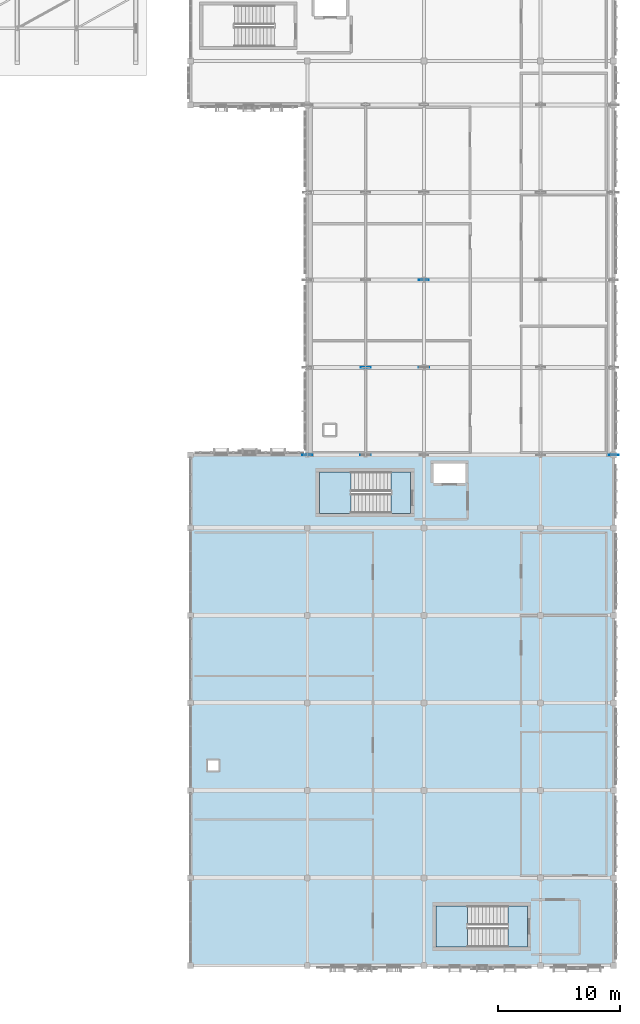
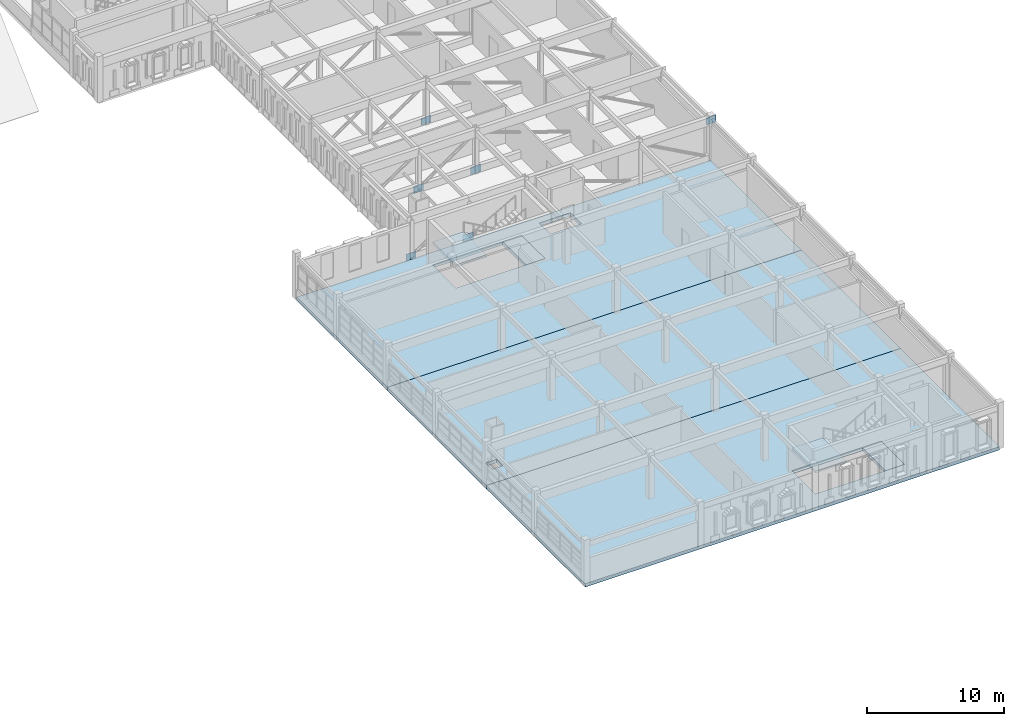
# One storey, part 38 of 79: 7 slabs, 6 plates, 2 elements without a shape of their own.
"""IFC4 building model written with IfcOpenShell, lengths in metres."""

from ifc_helpers import new_model, si_unit, direction, frame, origin, origin_2d, place, context, subcontext, project, spatial, polyline, rectangle, outline, extrude, material, layer, layer_set, type_object, element, aggregate, save


model = new_model("IFC4")

# Units and contexts
model_context = context("Model", 3, precision=1e-05, world=origin(), true_north=direction((0.0, 1.0)))
body_context = subcontext(model_context, "Body", "Model", "MODEL_VIEW")
ifc_project = project(units=[si_unit("LENGTHUNIT", "METRE"), si_unit("AREAUNIT", "SQUARE_METRE"), si_unit("VOLUMEUNIT", "CUBIC_METRE"), si_unit("PLANEANGLEUNIT", "RADIAN"), si_unit("MASSUNIT", "GRAM", prefix="KILO")], contexts=[model_context])

# Site, building, storey
site_placement = place(None, origin())
site = spatial("IfcSite", under=ifc_project, at=site_placement, CompositionType="ELEMENT")
building_placement = place(site_placement, origin())
building = spatial("IfcBuilding", under=site, at=building_placement, Name="Nzembalo Square Collegiate School", CompositionType="ELEMENT")
storey_placement = place(building_placement, frame((0.0, 0.0, 9.52001953125)))
storey = spatial("IfcBuildingStorey", under=building, at=storey_placement, Name="L02", CompositionType="ELEMENT", Elevation=9.52001953125)

# Stair, slab
ifc_material_1 = material(Name="Precast concrete C40/50", Category="concrete")
stair_type = type_object("IfcStairType", Name="ST-24R", PredefinedType="HALF_TURN_STAIR", material=ifc_material_1)
stair_1_placement = place(storey_placement, origin())
stair_1 = element("IfcStair", 1, at=stair_1_placement, inside=storey, type_object=stair_type, Name="Escape stair ST-21 (C5 L02)", PredefinedType="HALF_TURN_STAIR")
ifc_material_2 = material(Name="Precast concrete C40/50", Category="concrete")
ifc_layer_1 = layer(ifc_material_2, 0.199951171875, Name="Precast concrete C40/50")
ifc_layer_set_1 = layer_set([ifc_layer_1], Name="Precast concrete C40/50")
slab_type_1 = type_object("IfcSlabType", Name="SL-LDG", PredefinedType="LANDING", material=ifc_layer_set_1)
slab_1_placement = place(storey_placement, frame((0.0, 0.0, 1.840087890625)))
slab_1 = element("IfcSlab", 2, at=slab_1_placement, type_object=slab_type_1, Name="ST-21 landing 1", PredefinedType="LANDING", context=body_context, shape_type="SweptSolid", body=[
    extrude(outline(polyline([(144.0, 49.0), (141.39990234375, 49.0), (141.39990234375, 45.60009765625), (144.0, 45.60009765625), (144.0, 49.0)])), origin(), (0.0, 0.0, 1.0), 0.199951171875),
])
aggregate(stair_1, [slab_1])

stair_2_placement = place(storey_placement, origin())
stair_2 = element("IfcStair", 3, at=stair_2_placement, inside=storey, type_object=stair_type, Name="Escape stair ST-26 (C6 L02)", PredefinedType="HALF_TURN_STAIR")
slab_2_placement = place(storey_placement, frame((0.0, 0.0, 1.840087890625)))
slab_2 = element("IfcSlab", 4, at=slab_2_placement, type_object=slab_type_1, Name="ST-26 landing 1", PredefinedType="LANDING", context=body_context, shape_type="SweptSolid", body=[
    extrude(outline(polyline([(153.60009765625, 13.300048828125), (151.0, 13.300048828125), (151.0, 9.89990234375), (153.60009765625, 9.89990234375), (153.60009765625, 13.300048828125)])), origin(), (0.0, 0.0, 1.0), 0.199951171875),
])
aggregate(stair_2, [slab_2])

# Plates
ifc_material_3 = material(Name="Steel S355", Category="steel")
ifc_layer_2 = layer(ifc_material_3, 0.033935546875, Name="Steel S355")
ifc_layer_set_2 = layer_set([ifc_layer_2], Name="Steel S355")
plate_type_1 = type_object("IfcPlateType", Name="KN01", PredefinedType="SHEET", material=ifc_layer_set_2)
for number, where, z_axis, x_axis, name in (
    (5, (145.199951171875, 50.39990234375, -0.080078125), (0.0, 0.0, 1.0), (1.0, 0.0, 0.0), "TT-4B-01 transfer gusset plate KN01"),
    (6, (150.0, 57.60009765625, -0.080078125), (0.0, 0.0, 1.0), (1.0, 0.0, 0.0), "TT-4B-02 transfer gusset plate KN01"),
):
    element("IfcPlate", number, at=place(storey_placement, frame(where, z_axis=z_axis, x_axis=x_axis)), inside=storey, type_object=plate_type_1, Name=name, PredefinedType="SHEET", context=body_context, shape_type="SweptSolid", body=[
        extrude(rectangle(XDim=0.8798828125, YDim=0.033935546875, at=origin_2d()), origin(), (0.0, 0.0, 1.0), 0.679931640625),
    ])
ifc_material_4 = material(Name="Steel S355", Category="steel")
ifc_layer_3 = layer(ifc_material_4, 0.031982421875, Name="Steel S355")
ifc_layer_set_3 = layer_set([ifc_layer_3], Name="Steel S355")
plate_type_2 = type_object("IfcPlateType", Name="KN02", PredefinedType="SHEET", material=ifc_layer_set_3)
for number, where, z_axis, x_axis, name in (
    (7, (165.60009765625, 50.39990234375, 3.240234375), (0.0, 0.0, 1.0), (1.0, 0.0, 0.0), "TT-4B-01 transfer gusset plate KN02"),
    (8, (140.39990234375, 50.39990234375, -0.06005859375), (0.0, 0.0, 1.0), (1.0, 0.0, 0.0), "TT-4B-01 transfer gusset plate KN02"),
    (9, (145.199951171875, 57.60009765625, -0.06005859375), (0.0, 0.0, 1.0), (1.0, 0.0, 0.0), "TT-4B-02 transfer gusset plate KN02"),
    (10, (150.0, 64.800048828125, -0.06005859375), (0.0, 0.0, 1.0), (1.0, 0.0, 0.0), "TT-4B-03 transfer gusset plate KN02"),
):
    element("IfcPlate", number, at=place(storey_placement, frame(where, z_axis=z_axis, x_axis=x_axis)), inside=storey, type_object=plate_type_2, Name=name, PredefinedType="SHEET", context=body_context, shape_type="SweptSolid", body=[
        extrude(rectangle(XDim=0.820068359375, YDim=0.031982421875, at=origin_2d()), origin(), (0.0, 0.0, 1.0), 0.639892578125),
    ])

# Slabs
ifc_material_5 = material(Name="CLT CL24", Category="wood")
ifc_layer_4 = layer(ifc_material_5, 0.278076171875, Name="CLT CL24")
ifc_layer_set_4 = layer_set([ifc_layer_4], Name="CLT CL24")
slab_type_2 = type_object("IfcSlabType", Name="SL-02", PredefinedType="FLOOR", material=ifc_layer_set_4)
slab_3_placement = place(storey_placement, frame((0.0, 0.0, -0.278076171875)))
element("IfcSlab", 11, at=slab_3_placement, inside=storey, type_object=slab_type_2, Name="Core C5 floor landing slab SL-L02-C5", PredefinedType="FLOOR", context=body_context, shape_type="SweptSolid", body=[
    extrude(outline(polyline([(147.300048828125, 45.60009765625), (148.89990234375, 45.60009765625), (148.89990234375, 49.0), (147.300048828125, 49.0), (147.300048828125, 45.60009765625)])), origin(), (0.0, 0.0, 1.0), 0.278076171875),
])
slab_4_placement = place(storey_placement, frame((0.0, 0.0, -0.278076171875)))
element("IfcSlab", 12, at=slab_4_placement, inside=storey, type_object=slab_type_2, Name="Core C6 floor landing slab SL-L02-C6", PredefinedType="FLOOR", context=body_context, shape_type="SweptSolid", body=[
    extrude(outline(polyline([(156.89990234375, 9.89990234375), (158.5, 9.89990234375), (158.5, 13.300048828125), (156.89990234375, 13.300048828125), (156.89990234375, 9.89990234375)])), origin(), (0.0, 0.0, 1.0), 0.278076171875),
])
ifc_material_6 = material(Name="Concrete C30/37", Category="concrete")
ifc_layer_5 = layer(ifc_material_6, 0.2919921875, Name="Concrete C30/37")
ifc_layer_set_5 = layer_set([ifc_layer_5], Name="Concrete C30/37")
slab_type_3 = type_object("IfcSlabType", Name="SL-02L", PredefinedType="FLOOR", material=ifc_layer_set_5)
slab_5_placement = place(storey_placement, frame((0.0, 0.0, -0.2919921875)))
element("IfcSlab", 13, at=slab_5_placement, inside=storey, type_object=slab_type_3, Name="Slab SL-L02-60", PredefinedType="FLOOR", context=body_context, shape_type="SweptSolid", body=[
    extrude(outline(polyline([(130.800048828125, 8.39990234375), (165.60009765625, 8.39990234375), (165.60009765625, 22.800048828125), (130.800048828125, 22.800048828125), (130.800048828125, 8.39990234375)]), holes=[polyline([(158.5, 13.300048828125), (151.0, 13.300048828125), (151.0, 9.89990234375), (158.5, 9.89990234375), (158.5, 13.300048828125)])]), origin(), (0.0, 0.0, 1.0), 0.2919921875),
])
slab_6_placement = place(storey_placement, frame((0.0, 0.0, -0.2919921875)))
element("IfcSlab", 14, at=slab_6_placement, inside=storey, type_object=slab_type_3, Name="Slab SL-L02-61", PredefinedType="FLOOR", context=body_context, shape_type="SweptSolid", body=[
    extrude(outline(polyline([(130.800048828125, 22.800048828125), (165.60009765625, 22.800048828125), (165.60009765625, 37.199951171875), (130.800048828125, 37.199951171875), (130.800048828125, 22.800048828125)]), holes=[polyline([(132.199951171875, 24.39990234375), (133.10009765625, 24.39990234375), (133.10009765625, 25.300048828125), (132.199951171875, 25.300048828125), (132.199951171875, 24.39990234375)])]), origin(), (0.0, 0.0, 1.0), 0.2919921875),
])
slab_7_placement = place(storey_placement, frame((0.0, 0.0, -0.2919921875)))
element("IfcSlab", 15, at=slab_7_placement, inside=storey, type_object=slab_type_3, Name="Slab SL-L02-62", PredefinedType="FLOOR", context=body_context, shape_type="SweptSolid", body=[
    extrude(outline(polyline([(130.800048828125, 37.199951171875), (165.60009765625, 37.199951171875), (165.60009765625, 50.39990234375), (130.800048828125, 50.39990234375), (130.800048828125, 37.199951171875)]), holes=[polyline([(150.800048828125, 48.10009765625), (153.39990234375, 48.10009765625), (153.39990234375, 49.699951171875), (150.800048828125, 49.699951171875), (150.800048828125, 48.10009765625)]), polyline([(148.89990234375, 49.0), (141.39990234375, 49.0), (141.39990234375, 45.60009765625), (148.89990234375, 45.60009765625), (148.89990234375, 49.0)])]), origin(), (0.0, 0.0, 1.0), 0.2919921875),
])

save(model, "model.ifc")
